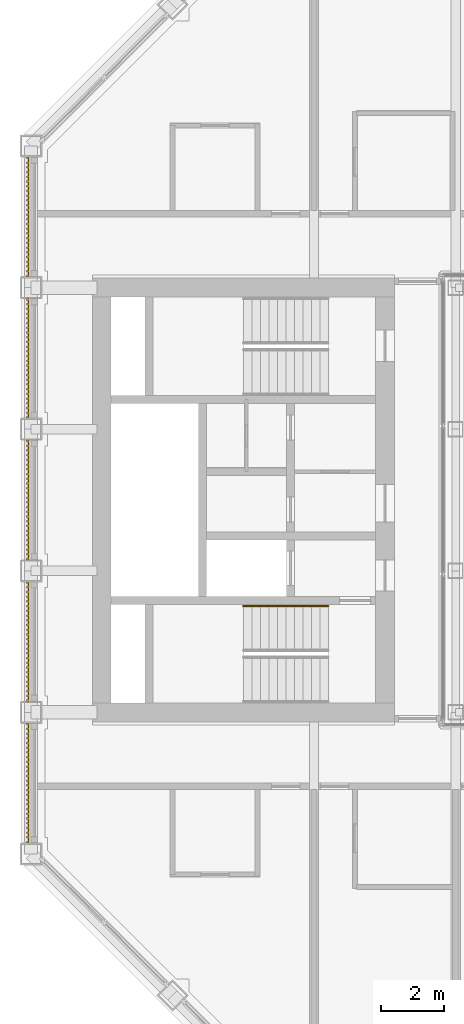
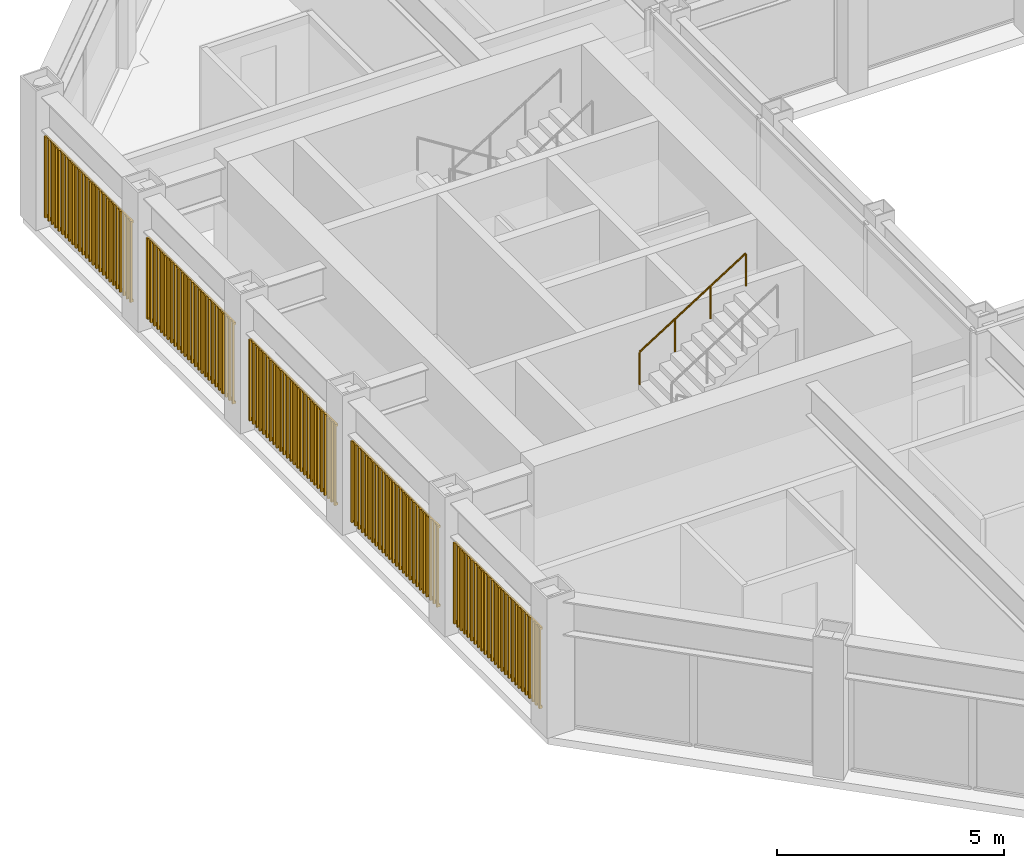
# One storey, part 14 of 16: 1 railing, 1 shading device.
"""IFC4 building model written with IfcOpenShell, lengths in metres."""

from ifc_helpers import new_model, si_unit, direction, frame, origin, origin_2d, place, context, subcontext, project, spatial, rectangle, circle, extrude, material, type_object, element, save


model = new_model("IFC4")

# Units and contexts
model_context = context("Model", 3, precision=1e-05, world=origin(), true_north=direction((0.0, 1.0)))
body_context = subcontext(model_context, "Body", "Model", "MODEL_VIEW")
ifc_project = project(units=[si_unit("LENGTHUNIT", "METRE"), si_unit("AREAUNIT", "SQUARE_METRE"), si_unit("VOLUMEUNIT", "CUBIC_METRE"), si_unit("PLANEANGLEUNIT", "RADIAN"), si_unit("MASSUNIT", "GRAM", prefix="KILO")], contexts=[model_context])

# Site, building, storey
site_placement = place(None, origin())
site = spatial("IfcSite", under=ifc_project, at=site_placement, CompositionType="ELEMENT")
building_placement = place(site_placement, origin())
building = spatial("IfcBuilding", under=site, at=building_placement, Name="Msasa Ring Tower", CompositionType="ELEMENT")
storey_placement = place(building_placement, frame((0.0, 0.0, 219.550048828125)))
storey = spatial("IfcBuildingStorey", under=building, at=storey_placement, Name="L57", CompositionType="ELEMENT", Elevation=219.550048828125)

# Shading device
ifc_material_1 = material(Name="Extruded terracotta on aluminium carriers", Category="masonry")
shading_device_type = type_object("IfcShadingDeviceType", Name="BS1 TERRACOTTA BAGUETTE SCREEN 50x50 AT 150", PredefinedType="USERDEFINED", material=ifc_material_1)
shading_device_placement = place(storey_placement, origin())
element("IfcShadingDevice", 1, at=shading_device_placement, inside=storey, type_object=shading_device_type, Name="Terracotta baguette screen W L57", ObjectType="BAGUETTE", PredefinedType="USERDEFINED", context=body_context, shape_type="SweptSolid", body=[
    extrude(rectangle(XDim=0.06005859375, YDim=0.0400390625, at=origin_2d()), frame((-20.330078125, -10.89990234375, 0.329833984375), z_axis=(0.0, 1.0, 0.0), x_axis=(0.0, 0.0, 1.0)), (0.0, 0.0, 1.0), 3.800048828125),
    extrude(rectangle(XDim=0.06005859375, YDim=0.0400390625, at=origin_2d()), frame((-20.330078125, -10.89990234375, 2.448974609375), z_axis=(0.0, 1.0, 0.0), x_axis=(0.0, 0.0, 1.0)), (0.0, 0.0, 1.0), 3.800048828125),
    extrude(rectangle(XDim=0.050048828125, YDim=0.050048828125, at=origin_2d()), frame((-20.3701171875, -10.875, 0.300048828125), z_axis=(0.0, 0.0, 1.0), x_axis=(0.0, 1.0, 0.0)), (0.0, 0.0, 1.0), 2.178955078125),
    extrude(rectangle(XDim=0.050048828125, YDim=0.050048828125, at=origin_2d()), frame((-20.3701171875, -10.72509765625, 0.300048828125), z_axis=(0.0, 0.0, 1.0), x_axis=(0.0, 1.0, 0.0)), (0.0, 0.0, 1.0), 2.178955078125),
    extrude(rectangle(XDim=0.050048828125, YDim=0.050048828125, at=origin_2d()), frame((-20.3701171875, -10.574951171875, 0.300048828125), z_axis=(0.0, 0.0, 1.0), x_axis=(0.0, 1.0, 0.0)), (0.0, 0.0, 1.0), 2.178955078125),
    extrude(rectangle(XDim=0.050048828125, YDim=0.050048828125, at=origin_2d()), frame((-20.3701171875, -10.425048828125, 0.300048828125), z_axis=(0.0, 0.0, 1.0), x_axis=(0.0, 1.0, 0.0)), (0.0, 0.0, 1.0), 2.178955078125),
    extrude(rectangle(XDim=0.050048828125, YDim=0.050048828125, at=origin_2d()), frame((-20.3701171875, -10.27490234375, 0.300048828125), z_axis=(0.0, 0.0, 1.0), x_axis=(0.0, 1.0, 0.0)), (0.0, 0.0, 1.0), 2.178955078125),
    extrude(rectangle(XDim=0.050048828125, YDim=0.050048828125, at=origin_2d()), frame((-20.3701171875, -10.125, 0.300048828125), z_axis=(0.0, 0.0, 1.0), x_axis=(0.0, 1.0, 0.0)), (0.0, 0.0, 1.0), 2.178955078125),
    extrude(rectangle(XDim=0.050048828125, YDim=0.050048828125, at=origin_2d()), frame((-20.3701171875, -9.97509765625, 0.300048828125), z_axis=(0.0, 0.0, 1.0), x_axis=(0.0, 1.0, 0.0)), (0.0, 0.0, 1.0), 2.178955078125),
    extrude(rectangle(XDim=0.050048828125, YDim=0.050048828125, at=origin_2d()), frame((-20.3701171875, -9.824951171875, 0.300048828125), z_axis=(0.0, 0.0, 1.0), x_axis=(0.0, 1.0, 0.0)), (0.0, 0.0, 1.0), 2.178955078125),
    extrude(rectangle(XDim=0.050048828125, YDim=0.050048828125, at=origin_2d()), frame((-20.3701171875, -9.675048828125, 0.300048828125), z_axis=(0.0, 0.0, 1.0), x_axis=(0.0, 1.0, 0.0)), (0.0, 0.0, 1.0), 2.178955078125),
    extrude(rectangle(XDim=0.050048828125, YDim=0.050048828125, at=origin_2d()), frame((-20.3701171875, -9.52490234375, 0.300048828125), z_axis=(0.0, 0.0, 1.0), x_axis=(0.0, 1.0, 0.0)), (0.0, 0.0, 1.0), 2.178955078125),
    extrude(rectangle(XDim=0.050048828125, YDim=0.050048828125, at=origin_2d()), frame((-20.3701171875, -9.375, 0.300048828125), z_axis=(0.0, 0.0, 1.0), x_axis=(0.0, 1.0, 0.0)), (0.0, 0.0, 1.0), 2.178955078125),
    extrude(rectangle(XDim=0.050048828125, YDim=0.050048828125, at=origin_2d()), frame((-20.3701171875, -9.22509765625, 0.300048828125), z_axis=(0.0, 0.0, 1.0), x_axis=(0.0, 1.0, 0.0)), (0.0, 0.0, 1.0), 2.178955078125),
    extrude(rectangle(XDim=0.050048828125, YDim=0.050048828125, at=origin_2d()), frame((-20.3701171875, -9.074951171875, 0.300048828125), z_axis=(0.0, 0.0, 1.0), x_axis=(0.0, 1.0, 0.0)), (0.0, 0.0, 1.0), 2.178955078125),
    extrude(rectangle(XDim=0.050048828125, YDim=0.050048828125, at=origin_2d()), frame((-20.3701171875, -8.925048828125, 0.300048828125), z_axis=(0.0, 0.0, 1.0), x_axis=(0.0, 1.0, 0.0)), (0.0, 0.0, 1.0), 2.178955078125),
    extrude(rectangle(XDim=0.050048828125, YDim=0.050048828125, at=origin_2d()), frame((-20.3701171875, -8.77490234375, 0.300048828125), z_axis=(0.0, 0.0, 1.0), x_axis=(0.0, 1.0, 0.0)), (0.0, 0.0, 1.0), 2.178955078125),
    extrude(rectangle(XDim=0.050048828125, YDim=0.050048828125, at=origin_2d()), frame((-20.3701171875, -8.625, 0.300048828125), z_axis=(0.0, 0.0, 1.0), x_axis=(0.0, 1.0, 0.0)), (0.0, 0.0, 1.0), 2.178955078125),
    extrude(rectangle(XDim=0.050048828125, YDim=0.050048828125, at=origin_2d()), frame((-20.3701171875, -8.47509765625, 0.300048828125), z_axis=(0.0, 0.0, 1.0), x_axis=(0.0, 1.0, 0.0)), (0.0, 0.0, 1.0), 2.178955078125),
    extrude(rectangle(XDim=0.050048828125, YDim=0.050048828125, at=origin_2d()), frame((-20.3701171875, -8.324951171875, 0.300048828125), z_axis=(0.0, 0.0, 1.0), x_axis=(0.0, 1.0, 0.0)), (0.0, 0.0, 1.0), 2.178955078125),
    extrude(rectangle(XDim=0.050048828125, YDim=0.050048828125, at=origin_2d()), frame((-20.3701171875, -8.175048828125, 0.300048828125), z_axis=(0.0, 0.0, 1.0), x_axis=(0.0, 1.0, 0.0)), (0.0, 0.0, 1.0), 2.178955078125),
    extrude(rectangle(XDim=0.050048828125, YDim=0.050048828125, at=origin_2d()), frame((-20.3701171875, -8.02490234375, 0.300048828125), z_axis=(0.0, 0.0, 1.0), x_axis=(0.0, 1.0, 0.0)), (0.0, 0.0, 1.0), 2.178955078125),
    extrude(rectangle(XDim=0.050048828125, YDim=0.050048828125, at=origin_2d()), frame((-20.3701171875, -7.875, 0.300048828125), z_axis=(0.0, 0.0, 1.0), x_axis=(0.0, 1.0, 0.0)), (0.0, 0.0, 1.0), 2.178955078125),
    extrude(rectangle(XDim=0.050048828125, YDim=0.050048828125, at=origin_2d()), frame((-20.3701171875, -7.72509765625, 0.300048828125), z_axis=(0.0, 0.0, 1.0), x_axis=(0.0, 1.0, 0.0)), (0.0, 0.0, 1.0), 2.178955078125),
    extrude(rectangle(XDim=0.050048828125, YDim=0.050048828125, at=origin_2d()), frame((-20.3701171875, -7.574951171875, 0.300048828125), z_axis=(0.0, 0.0, 1.0), x_axis=(0.0, 1.0, 0.0)), (0.0, 0.0, 1.0), 2.178955078125),
    extrude(rectangle(XDim=0.050048828125, YDim=0.050048828125, at=origin_2d()), frame((-20.3701171875, -7.425048828125, 0.300048828125), z_axis=(0.0, 0.0, 1.0), x_axis=(0.0, 1.0, 0.0)), (0.0, 0.0, 1.0), 2.178955078125),
    extrude(rectangle(XDim=0.050048828125, YDim=0.050048828125, at=origin_2d()), frame((-20.3701171875, -7.27490234375, 0.300048828125), z_axis=(0.0, 0.0, 1.0), x_axis=(0.0, 1.0, 0.0)), (0.0, 0.0, 1.0), 2.178955078125),
    extrude(rectangle(XDim=0.050048828125, YDim=0.050048828125, at=origin_2d()), frame((-20.3701171875, -7.125, 0.300048828125), z_axis=(0.0, 0.0, 1.0), x_axis=(0.0, 1.0, 0.0)), (0.0, 0.0, 1.0), 2.178955078125),
    extrude(rectangle(XDim=0.06005859375, YDim=0.0400390625, at=origin_2d()), frame((-20.330078125, -6.39990234375, 0.329833984375), z_axis=(0.0, 1.0, 0.0), x_axis=(0.0, 0.0, 1.0)), (0.0, 0.0, 1.0), 3.800048828125),
    extrude(rectangle(XDim=0.06005859375, YDim=0.0400390625, at=origin_2d()), frame((-20.330078125, -6.39990234375, 2.448974609375), z_axis=(0.0, 1.0, 0.0), x_axis=(0.0, 0.0, 1.0)), (0.0, 0.0, 1.0), 3.800048828125),
    extrude(rectangle(XDim=0.050048828125, YDim=0.050048828125, at=origin_2d()), frame((-20.3701171875, -6.375, 0.300048828125), z_axis=(0.0, 0.0, 1.0), x_axis=(0.0, 1.0, 0.0)), (0.0, 0.0, 1.0), 2.178955078125),
    extrude(rectangle(XDim=0.050048828125, YDim=0.050048828125, at=origin_2d()), frame((-20.3701171875, -6.22509765625, 0.300048828125), z_axis=(0.0, 0.0, 1.0), x_axis=(0.0, 1.0, 0.0)), (0.0, 0.0, 1.0), 2.178955078125),
    extrude(rectangle(XDim=0.050048828125, YDim=0.050048828125, at=origin_2d()), frame((-20.3701171875, -6.074951171875, 0.300048828125), z_axis=(0.0, 0.0, 1.0), x_axis=(0.0, 1.0, 0.0)), (0.0, 0.0, 1.0), 2.178955078125),
    extrude(rectangle(XDim=0.050048828125, YDim=0.050048828125, at=origin_2d()), frame((-20.3701171875, -5.925048828125, 0.300048828125), z_axis=(0.0, 0.0, 1.0), x_axis=(0.0, 1.0, 0.0)), (0.0, 0.0, 1.0), 2.178955078125),
    extrude(rectangle(XDim=0.050048828125, YDim=0.050048828125, at=origin_2d()), frame((-20.3701171875, -5.77490234375, 0.300048828125), z_axis=(0.0, 0.0, 1.0), x_axis=(0.0, 1.0, 0.0)), (0.0, 0.0, 1.0), 2.178955078125),
    extrude(rectangle(XDim=0.050048828125, YDim=0.050048828125, at=origin_2d()), frame((-20.3701171875, -5.625, 0.300048828125), z_axis=(0.0, 0.0, 1.0), x_axis=(0.0, 1.0, 0.0)), (0.0, 0.0, 1.0), 2.178955078125),
    extrude(rectangle(XDim=0.050048828125, YDim=0.050048828125, at=origin_2d()), frame((-20.3701171875, -5.47509765625, 0.300048828125), z_axis=(0.0, 0.0, 1.0), x_axis=(0.0, 1.0, 0.0)), (0.0, 0.0, 1.0), 2.178955078125),
    extrude(rectangle(XDim=0.050048828125, YDim=0.050048828125, at=origin_2d()), frame((-20.3701171875, -5.324951171875, 0.300048828125), z_axis=(0.0, 0.0, 1.0), x_axis=(0.0, 1.0, 0.0)), (0.0, 0.0, 1.0), 2.178955078125),
    extrude(rectangle(XDim=0.050048828125, YDim=0.050048828125, at=origin_2d()), frame((-20.3701171875, -5.175048828125, 0.300048828125), z_axis=(0.0, 0.0, 1.0), x_axis=(0.0, 1.0, 0.0)), (0.0, 0.0, 1.0), 2.178955078125),
    extrude(rectangle(XDim=0.050048828125, YDim=0.050048828125, at=origin_2d()), frame((-20.3701171875, -5.02490234375, 0.300048828125), z_axis=(0.0, 0.0, 1.0), x_axis=(0.0, 1.0, 0.0)), (0.0, 0.0, 1.0), 2.178955078125),
    extrude(rectangle(XDim=0.050048828125, YDim=0.050048828125, at=origin_2d()), frame((-20.3701171875, -4.875, 0.300048828125), z_axis=(0.0, 0.0, 1.0), x_axis=(0.0, 1.0, 0.0)), (0.0, 0.0, 1.0), 2.178955078125),
    extrude(rectangle(XDim=0.050048828125, YDim=0.050048828125, at=origin_2d()), frame((-20.3701171875, -4.72509765625, 0.300048828125), z_axis=(0.0, 0.0, 1.0), x_axis=(0.0, 1.0, 0.0)), (0.0, 0.0, 1.0), 2.178955078125),
    extrude(rectangle(XDim=0.050048828125, YDim=0.050048828125, at=origin_2d()), frame((-20.3701171875, -4.574951171875, 0.300048828125), z_axis=(0.0, 0.0, 1.0), x_axis=(0.0, 1.0, 0.0)), (0.0, 0.0, 1.0), 2.178955078125),
    extrude(rectangle(XDim=0.050048828125, YDim=0.050048828125, at=origin_2d()), frame((-20.3701171875, -4.425048828125, 0.300048828125), z_axis=(0.0, 0.0, 1.0), x_axis=(0.0, 1.0, 0.0)), (0.0, 0.0, 1.0), 2.178955078125),
    extrude(rectangle(XDim=0.050048828125, YDim=0.050048828125, at=origin_2d()), frame((-20.3701171875, -4.27490234375, 0.300048828125), z_axis=(0.0, 0.0, 1.0), x_axis=(0.0, 1.0, 0.0)), (0.0, 0.0, 1.0), 2.178955078125),
    extrude(rectangle(XDim=0.050048828125, YDim=0.050048828125, at=origin_2d()), frame((-20.3701171875, -4.125, 0.300048828125), z_axis=(0.0, 0.0, 1.0), x_axis=(0.0, 1.0, 0.0)), (0.0, 0.0, 1.0), 2.178955078125),
    extrude(rectangle(XDim=0.050048828125, YDim=0.050048828125, at=origin_2d()), frame((-20.3701171875, -3.97509765625, 0.300048828125), z_axis=(0.0, 0.0, 1.0), x_axis=(0.0, 1.0, 0.0)), (0.0, 0.0, 1.0), 2.178955078125),
    extrude(rectangle(XDim=0.050048828125, YDim=0.050048828125, at=origin_2d()), frame((-20.3701171875, -3.824951171875, 0.300048828125), z_axis=(0.0, 0.0, 1.0), x_axis=(0.0, 1.0, 0.0)), (0.0, 0.0, 1.0), 2.178955078125),
    extrude(rectangle(XDim=0.050048828125, YDim=0.050048828125, at=origin_2d()), frame((-20.3701171875, -3.675048828125, 0.300048828125), z_axis=(0.0, 0.0, 1.0), x_axis=(0.0, 1.0, 0.0)), (0.0, 0.0, 1.0), 2.178955078125),
    extrude(rectangle(XDim=0.050048828125, YDim=0.050048828125, at=origin_2d()), frame((-20.3701171875, -3.52490234375, 0.300048828125), z_axis=(0.0, 0.0, 1.0), x_axis=(0.0, 1.0, 0.0)), (0.0, 0.0, 1.0), 2.178955078125),
    extrude(rectangle(XDim=0.050048828125, YDim=0.050048828125, at=origin_2d()), frame((-20.3701171875, -3.375, 0.300048828125), z_axis=(0.0, 0.0, 1.0), x_axis=(0.0, 1.0, 0.0)), (0.0, 0.0, 1.0), 2.178955078125),
    extrude(rectangle(XDim=0.050048828125, YDim=0.050048828125, at=origin_2d()), frame((-20.3701171875, -3.22509765625, 0.300048828125), z_axis=(0.0, 0.0, 1.0), x_axis=(0.0, 1.0, 0.0)), (0.0, 0.0, 1.0), 2.178955078125),
    extrude(rectangle(XDim=0.050048828125, YDim=0.050048828125, at=origin_2d()), frame((-20.3701171875, -3.074951171875, 0.300048828125), z_axis=(0.0, 0.0, 1.0), x_axis=(0.0, 1.0, 0.0)), (0.0, 0.0, 1.0), 2.178955078125),
    extrude(rectangle(XDim=0.050048828125, YDim=0.050048828125, at=origin_2d()), frame((-20.3701171875, -2.925048828125, 0.300048828125), z_axis=(0.0, 0.0, 1.0), x_axis=(0.0, 1.0, 0.0)), (0.0, 0.0, 1.0), 2.178955078125),
    extrude(rectangle(XDim=0.050048828125, YDim=0.050048828125, at=origin_2d()), frame((-20.3701171875, -2.77490234375, 0.300048828125), z_axis=(0.0, 0.0, 1.0), x_axis=(0.0, 1.0, 0.0)), (0.0, 0.0, 1.0), 2.178955078125),
    extrude(rectangle(XDim=0.050048828125, YDim=0.050048828125, at=origin_2d()), frame((-20.3701171875, -2.625, 0.300048828125), z_axis=(0.0, 0.0, 1.0), x_axis=(0.0, 1.0, 0.0)), (0.0, 0.0, 1.0), 2.178955078125),
    extrude(rectangle(XDim=0.06005859375, YDim=0.0400390625, at=origin_2d()), frame((-20.330078125, -1.89990234375, 0.329833984375), z_axis=(0.0, 1.0, 0.0), x_axis=(0.0, 0.0, 1.0)), (0.0, 0.0, 1.0), 3.800048828125),
    extrude(rectangle(XDim=0.06005859375, YDim=0.0400390625, at=origin_2d()), frame((-20.330078125, -1.89990234375, 2.448974609375), z_axis=(0.0, 1.0, 0.0), x_axis=(0.0, 0.0, 1.0)), (0.0, 0.0, 1.0), 3.800048828125),
    extrude(rectangle(XDim=0.050048828125, YDim=0.050048828125, at=origin_2d()), frame((-20.3701171875, -1.875, 0.300048828125), z_axis=(0.0, 0.0, 1.0), x_axis=(0.0, 1.0, 0.0)), (0.0, 0.0, 1.0), 2.178955078125),
    extrude(rectangle(XDim=0.050048828125, YDim=0.050048828125, at=origin_2d()), frame((-20.3701171875, -1.72509765625, 0.300048828125), z_axis=(0.0, 0.0, 1.0), x_axis=(0.0, 1.0, 0.0)), (0.0, 0.0, 1.0), 2.178955078125),
    extrude(rectangle(XDim=0.050048828125, YDim=0.050048828125, at=origin_2d()), frame((-20.3701171875, -1.574951171875, 0.300048828125), z_axis=(0.0, 0.0, 1.0), x_axis=(0.0, 1.0, 0.0)), (0.0, 0.0, 1.0), 2.178955078125),
    extrude(rectangle(XDim=0.050048828125, YDim=0.050048828125, at=origin_2d()), frame((-20.3701171875, -1.425048828125, 0.300048828125), z_axis=(0.0, 0.0, 1.0), x_axis=(0.0, 1.0, 0.0)), (0.0, 0.0, 1.0), 2.178955078125),
    extrude(rectangle(XDim=0.050048828125, YDim=0.050048828125, at=origin_2d()), frame((-20.3701171875, -1.27490234375, 0.300048828125), z_axis=(0.0, 0.0, 1.0), x_axis=(0.0, 1.0, 0.0)), (0.0, 0.0, 1.0), 2.178955078125),
    extrude(rectangle(XDim=0.050048828125, YDim=0.050048828125, at=origin_2d()), frame((-20.3701171875, -1.125, 0.300048828125), z_axis=(0.0, 0.0, 1.0), x_axis=(0.0, 1.0, 0.0)), (0.0, 0.0, 1.0), 2.178955078125),
    extrude(rectangle(XDim=0.050048828125, YDim=0.050048828125, at=origin_2d()), frame((-20.3701171875, -0.97509765625, 0.300048828125), z_axis=(0.0, 0.0, 1.0), x_axis=(0.0, 1.0, 0.0)), (0.0, 0.0, 1.0), 2.178955078125),
    extrude(rectangle(XDim=0.050048828125, YDim=0.050048828125, at=origin_2d()), frame((-20.3701171875, -0.824951171875, 0.300048828125), z_axis=(0.0, 0.0, 1.0), x_axis=(0.0, 1.0, 0.0)), (0.0, 0.0, 1.0), 2.178955078125),
    extrude(rectangle(XDim=0.050048828125, YDim=0.050048828125, at=origin_2d()), frame((-20.3701171875, -0.675048828125, 0.300048828125), z_axis=(0.0, 0.0, 1.0), x_axis=(0.0, 1.0, 0.0)), (0.0, 0.0, 1.0), 2.178955078125),
    extrude(rectangle(XDim=0.050048828125, YDim=0.050048828125, at=origin_2d()), frame((-20.3701171875, -0.52490234375, 0.300048828125), z_axis=(0.0, 0.0, 1.0), x_axis=(0.0, 1.0, 0.0)), (0.0, 0.0, 1.0), 2.178955078125),
    extrude(rectangle(XDim=0.050048828125, YDim=0.050048828125, at=origin_2d()), frame((-20.3701171875, -0.375, 0.300048828125), z_axis=(0.0, 0.0, 1.0), x_axis=(0.0, 1.0, 0.0)), (0.0, 0.0, 1.0), 2.178955078125),
    extrude(rectangle(XDim=0.050048828125, YDim=0.050048828125, at=origin_2d()), frame((-20.3701171875, -0.22509765625, 0.300048828125), z_axis=(0.0, 0.0, 1.0), x_axis=(0.0, 1.0, 0.0)), (0.0, 0.0, 1.0), 2.178955078125),
    extrude(rectangle(XDim=0.050048828125, YDim=0.050048828125, at=origin_2d()), frame((-20.3701171875, -0.074951171875, 0.300048828125), z_axis=(0.0, 0.0, 1.0), x_axis=(0.0, 1.0, 0.0)), (0.0, 0.0, 1.0), 2.178955078125),
    extrude(rectangle(XDim=0.050048828125, YDim=0.050048828125, at=origin_2d()), frame((-20.3701171875, 0.074951171875, 0.300048828125), z_axis=(0.0, 0.0, 1.0), x_axis=(0.0, 1.0, 0.0)), (0.0, 0.0, 1.0), 2.178955078125),
    extrude(rectangle(XDim=0.050048828125, YDim=0.050048828125, at=origin_2d()), frame((-20.3701171875, 0.22509765625, 0.300048828125), z_axis=(0.0, 0.0, 1.0), x_axis=(0.0, 1.0, 0.0)), (0.0, 0.0, 1.0), 2.178955078125),
    extrude(rectangle(XDim=0.050048828125, YDim=0.050048828125, at=origin_2d()), frame((-20.3701171875, 0.375, 0.300048828125), z_axis=(0.0, 0.0, 1.0), x_axis=(0.0, 1.0, 0.0)), (0.0, 0.0, 1.0), 2.178955078125),
    extrude(rectangle(XDim=0.050048828125, YDim=0.050048828125, at=origin_2d()), frame((-20.3701171875, 0.52490234375, 0.300048828125), z_axis=(0.0, 0.0, 1.0), x_axis=(0.0, 1.0, 0.0)), (0.0, 0.0, 1.0), 2.178955078125),
    extrude(rectangle(XDim=0.050048828125, YDim=0.050048828125, at=origin_2d()), frame((-20.3701171875, 0.675048828125, 0.300048828125), z_axis=(0.0, 0.0, 1.0), x_axis=(0.0, 1.0, 0.0)), (0.0, 0.0, 1.0), 2.178955078125),
    extrude(rectangle(XDim=0.050048828125, YDim=0.050048828125, at=origin_2d()), frame((-20.3701171875, 0.824951171875, 0.300048828125), z_axis=(0.0, 0.0, 1.0), x_axis=(0.0, 1.0, 0.0)), (0.0, 0.0, 1.0), 2.178955078125),
    extrude(rectangle(XDim=0.050048828125, YDim=0.050048828125, at=origin_2d()), frame((-20.3701171875, 0.97509765625, 0.300048828125), z_axis=(0.0, 0.0, 1.0), x_axis=(0.0, 1.0, 0.0)), (0.0, 0.0, 1.0), 2.178955078125),
    extrude(rectangle(XDim=0.050048828125, YDim=0.050048828125, at=origin_2d()), frame((-20.3701171875, 1.125, 0.300048828125), z_axis=(0.0, 0.0, 1.0), x_axis=(0.0, 1.0, 0.0)), (0.0, 0.0, 1.0), 2.178955078125),
    extrude(rectangle(XDim=0.050048828125, YDim=0.050048828125, at=origin_2d()), frame((-20.3701171875, 1.27490234375, 0.300048828125), z_axis=(0.0, 0.0, 1.0), x_axis=(0.0, 1.0, 0.0)), (0.0, 0.0, 1.0), 2.178955078125),
    extrude(rectangle(XDim=0.050048828125, YDim=0.050048828125, at=origin_2d()), frame((-20.3701171875, 1.425048828125, 0.300048828125), z_axis=(0.0, 0.0, 1.0), x_axis=(0.0, 1.0, 0.0)), (0.0, 0.0, 1.0), 2.178955078125),
    extrude(rectangle(XDim=0.050048828125, YDim=0.050048828125, at=origin_2d()), frame((-20.3701171875, 1.574951171875, 0.300048828125), z_axis=(0.0, 0.0, 1.0), x_axis=(0.0, 1.0, 0.0)), (0.0, 0.0, 1.0), 2.178955078125),
    extrude(rectangle(XDim=0.050048828125, YDim=0.050048828125, at=origin_2d()), frame((-20.3701171875, 1.72509765625, 0.300048828125), z_axis=(0.0, 0.0, 1.0), x_axis=(0.0, 1.0, 0.0)), (0.0, 0.0, 1.0), 2.178955078125),
    extrude(rectangle(XDim=0.050048828125, YDim=0.050048828125, at=origin_2d()), frame((-20.3701171875, 1.875, 0.300048828125), z_axis=(0.0, 0.0, 1.0), x_axis=(0.0, 1.0, 0.0)), (0.0, 0.0, 1.0), 2.178955078125),
    extrude(rectangle(XDim=0.06005859375, YDim=0.0400390625, at=origin_2d()), frame((-20.330078125, 2.60009765625, 0.329833984375), z_axis=(0.0, 1.0, 0.0), x_axis=(0.0, 0.0, 1.0)), (0.0, 0.0, 1.0), 3.800048828125),
    extrude(rectangle(XDim=0.06005859375, YDim=0.0400390625, at=origin_2d()), frame((-20.330078125, 2.60009765625, 2.448974609375), z_axis=(0.0, 1.0, 0.0), x_axis=(0.0, 0.0, 1.0)), (0.0, 0.0, 1.0), 3.800048828125),
    extrude(rectangle(XDim=0.050048828125, YDim=0.050048828125, at=origin_2d()), frame((-20.3701171875, 2.625, 0.300048828125), z_axis=(0.0, 0.0, 1.0), x_axis=(0.0, 1.0, 0.0)), (0.0, 0.0, 1.0), 2.178955078125),
    extrude(rectangle(XDim=0.050048828125, YDim=0.050048828125, at=origin_2d()), frame((-20.3701171875, 2.77490234375, 0.300048828125), z_axis=(0.0, 0.0, 1.0), x_axis=(0.0, 1.0, 0.0)), (0.0, 0.0, 1.0), 2.178955078125),
    extrude(rectangle(XDim=0.050048828125, YDim=0.050048828125, at=origin_2d()), frame((-20.3701171875, 2.925048828125, 0.300048828125), z_axis=(0.0, 0.0, 1.0), x_axis=(0.0, 1.0, 0.0)), (0.0, 0.0, 1.0), 2.178955078125),
    extrude(rectangle(XDim=0.050048828125, YDim=0.050048828125, at=origin_2d()), frame((-20.3701171875, 3.074951171875, 0.300048828125), z_axis=(0.0, 0.0, 1.0), x_axis=(0.0, 1.0, 0.0)), (0.0, 0.0, 1.0), 2.178955078125),
    extrude(rectangle(XDim=0.050048828125, YDim=0.050048828125, at=origin_2d()), frame((-20.3701171875, 3.22509765625, 0.300048828125), z_axis=(0.0, 0.0, 1.0), x_axis=(0.0, 1.0, 0.0)), (0.0, 0.0, 1.0), 2.178955078125),
    extrude(rectangle(XDim=0.050048828125, YDim=0.050048828125, at=origin_2d()), frame((-20.3701171875, 3.375, 0.300048828125), z_axis=(0.0, 0.0, 1.0), x_axis=(0.0, 1.0, 0.0)), (0.0, 0.0, 1.0), 2.178955078125),
    extrude(rectangle(XDim=0.050048828125, YDim=0.050048828125, at=origin_2d()), frame((-20.3701171875, 3.52490234375, 0.300048828125), z_axis=(0.0, 0.0, 1.0), x_axis=(0.0, 1.0, 0.0)), (0.0, 0.0, 1.0), 2.178955078125),
    extrude(rectangle(XDim=0.050048828125, YDim=0.050048828125, at=origin_2d()), frame((-20.3701171875, 3.675048828125, 0.300048828125), z_axis=(0.0, 0.0, 1.0), x_axis=(0.0, 1.0, 0.0)), (0.0, 0.0, 1.0), 2.178955078125),
    extrude(rectangle(XDim=0.050048828125, YDim=0.050048828125, at=origin_2d()), frame((-20.3701171875, 3.824951171875, 0.300048828125), z_axis=(0.0, 0.0, 1.0), x_axis=(0.0, 1.0, 0.0)), (0.0, 0.0, 1.0), 2.178955078125),
    extrude(rectangle(XDim=0.050048828125, YDim=0.050048828125, at=origin_2d()), frame((-20.3701171875, 3.97509765625, 0.300048828125), z_axis=(0.0, 0.0, 1.0), x_axis=(0.0, 1.0, 0.0)), (0.0, 0.0, 1.0), 2.178955078125),
    extrude(rectangle(XDim=0.050048828125, YDim=0.050048828125, at=origin_2d()), frame((-20.3701171875, 4.125, 0.300048828125), z_axis=(0.0, 0.0, 1.0), x_axis=(0.0, 1.0, 0.0)), (0.0, 0.0, 1.0), 2.178955078125),
    extrude(rectangle(XDim=0.050048828125, YDim=0.050048828125, at=origin_2d()), frame((-20.3701171875, 4.27490234375, 0.300048828125), z_axis=(0.0, 0.0, 1.0), x_axis=(0.0, 1.0, 0.0)), (0.0, 0.0, 1.0), 2.178955078125),
    extrude(rectangle(XDim=0.050048828125, YDim=0.050048828125, at=origin_2d()), frame((-20.3701171875, 4.425048828125, 0.300048828125), z_axis=(0.0, 0.0, 1.0), x_axis=(0.0, 1.0, 0.0)), (0.0, 0.0, 1.0), 2.178955078125),
    extrude(rectangle(XDim=0.050048828125, YDim=0.050048828125, at=origin_2d()), frame((-20.3701171875, 4.574951171875, 0.300048828125), z_axis=(0.0, 0.0, 1.0), x_axis=(0.0, 1.0, 0.0)), (0.0, 0.0, 1.0), 2.178955078125),
    extrude(rectangle(XDim=0.050048828125, YDim=0.050048828125, at=origin_2d()), frame((-20.3701171875, 4.72509765625, 0.300048828125), z_axis=(0.0, 0.0, 1.0), x_axis=(0.0, 1.0, 0.0)), (0.0, 0.0, 1.0), 2.178955078125),
    extrude(rectangle(XDim=0.050048828125, YDim=0.050048828125, at=origin_2d()), frame((-20.3701171875, 4.875, 0.300048828125), z_axis=(0.0, 0.0, 1.0), x_axis=(0.0, 1.0, 0.0)), (0.0, 0.0, 1.0), 2.178955078125),
    extrude(rectangle(XDim=0.050048828125, YDim=0.050048828125, at=origin_2d()), frame((-20.3701171875, 5.02490234375, 0.300048828125), z_axis=(0.0, 0.0, 1.0), x_axis=(0.0, 1.0, 0.0)), (0.0, 0.0, 1.0), 2.178955078125),
    extrude(rectangle(XDim=0.050048828125, YDim=0.050048828125, at=origin_2d()), frame((-20.3701171875, 5.175048828125, 0.300048828125), z_axis=(0.0, 0.0, 1.0), x_axis=(0.0, 1.0, 0.0)), (0.0, 0.0, 1.0), 2.178955078125),
    extrude(rectangle(XDim=0.050048828125, YDim=0.050048828125, at=origin_2d()), frame((-20.3701171875, 5.324951171875, 0.300048828125), z_axis=(0.0, 0.0, 1.0), x_axis=(0.0, 1.0, 0.0)), (0.0, 0.0, 1.0), 2.178955078125),
    extrude(rectangle(XDim=0.050048828125, YDim=0.050048828125, at=origin_2d()), frame((-20.3701171875, 5.47509765625, 0.300048828125), z_axis=(0.0, 0.0, 1.0), x_axis=(0.0, 1.0, 0.0)), (0.0, 0.0, 1.0), 2.178955078125),
    extrude(rectangle(XDim=0.050048828125, YDim=0.050048828125, at=origin_2d()), frame((-20.3701171875, 5.625, 0.300048828125), z_axis=(0.0, 0.0, 1.0), x_axis=(0.0, 1.0, 0.0)), (0.0, 0.0, 1.0), 2.178955078125),
    extrude(rectangle(XDim=0.050048828125, YDim=0.050048828125, at=origin_2d()), frame((-20.3701171875, 5.77490234375, 0.300048828125), z_axis=(0.0, 0.0, 1.0), x_axis=(0.0, 1.0, 0.0)), (0.0, 0.0, 1.0), 2.178955078125),
    extrude(rectangle(XDim=0.050048828125, YDim=0.050048828125, at=origin_2d()), frame((-20.3701171875, 5.925048828125, 0.300048828125), z_axis=(0.0, 0.0, 1.0), x_axis=(0.0, 1.0, 0.0)), (0.0, 0.0, 1.0), 2.178955078125),
    extrude(rectangle(XDim=0.050048828125, YDim=0.050048828125, at=origin_2d()), frame((-20.3701171875, 6.074951171875, 0.300048828125), z_axis=(0.0, 0.0, 1.0), x_axis=(0.0, 1.0, 0.0)), (0.0, 0.0, 1.0), 2.178955078125),
    extrude(rectangle(XDim=0.050048828125, YDim=0.050048828125, at=origin_2d()), frame((-20.3701171875, 6.22509765625, 0.300048828125), z_axis=(0.0, 0.0, 1.0), x_axis=(0.0, 1.0, 0.0)), (0.0, 0.0, 1.0), 2.178955078125),
    extrude(rectangle(XDim=0.050048828125, YDim=0.050048828125, at=origin_2d()), frame((-20.3701171875, 6.375, 0.300048828125), z_axis=(0.0, 0.0, 1.0), x_axis=(0.0, 1.0, 0.0)), (0.0, 0.0, 1.0), 2.178955078125),
    extrude(rectangle(XDim=0.06005859375, YDim=0.0400390625, at=origin_2d()), frame((-20.330078125, 7.10009765625, 0.329833984375), z_axis=(0.0, 1.0, 0.0), x_axis=(0.0, 0.0, 1.0)), (0.0, 0.0, 1.0), 3.800048828125),
    extrude(rectangle(XDim=0.06005859375, YDim=0.0400390625, at=origin_2d()), frame((-20.330078125, 7.10009765625, 2.448974609375), z_axis=(0.0, 1.0, 0.0), x_axis=(0.0, 0.0, 1.0)), (0.0, 0.0, 1.0), 3.800048828125),
    extrude(rectangle(XDim=0.050048828125, YDim=0.050048828125, at=origin_2d()), frame((-20.3701171875, 7.125, 0.300048828125), z_axis=(0.0, 0.0, 1.0), x_axis=(0.0, 1.0, 0.0)), (0.0, 0.0, 1.0), 2.178955078125),
    extrude(rectangle(XDim=0.050048828125, YDim=0.050048828125, at=origin_2d()), frame((-20.3701171875, 7.27490234375, 0.300048828125), z_axis=(0.0, 0.0, 1.0), x_axis=(0.0, 1.0, 0.0)), (0.0, 0.0, 1.0), 2.178955078125),
    extrude(rectangle(XDim=0.050048828125, YDim=0.050048828125, at=origin_2d()), frame((-20.3701171875, 7.425048828125, 0.300048828125), z_axis=(0.0, 0.0, 1.0), x_axis=(0.0, 1.0, 0.0)), (0.0, 0.0, 1.0), 2.178955078125),
    extrude(rectangle(XDim=0.050048828125, YDim=0.050048828125, at=origin_2d()), frame((-20.3701171875, 7.574951171875, 0.300048828125), z_axis=(0.0, 0.0, 1.0), x_axis=(0.0, 1.0, 0.0)), (0.0, 0.0, 1.0), 2.178955078125),
    extrude(rectangle(XDim=0.050048828125, YDim=0.050048828125, at=origin_2d()), frame((-20.3701171875, 7.72509765625, 0.300048828125), z_axis=(0.0, 0.0, 1.0), x_axis=(0.0, 1.0, 0.0)), (0.0, 0.0, 1.0), 2.178955078125),
    extrude(rectangle(XDim=0.050048828125, YDim=0.050048828125, at=origin_2d()), frame((-20.3701171875, 7.875, 0.300048828125), z_axis=(0.0, 0.0, 1.0), x_axis=(0.0, 1.0, 0.0)), (0.0, 0.0, 1.0), 2.178955078125),
    extrude(rectangle(XDim=0.050048828125, YDim=0.050048828125, at=origin_2d()), frame((-20.3701171875, 8.02490234375, 0.300048828125), z_axis=(0.0, 0.0, 1.0), x_axis=(0.0, 1.0, 0.0)), (0.0, 0.0, 1.0), 2.178955078125),
    extrude(rectangle(XDim=0.050048828125, YDim=0.050048828125, at=origin_2d()), frame((-20.3701171875, 8.175048828125, 0.300048828125), z_axis=(0.0, 0.0, 1.0), x_axis=(0.0, 1.0, 0.0)), (0.0, 0.0, 1.0), 2.178955078125),
    extrude(rectangle(XDim=0.050048828125, YDim=0.050048828125, at=origin_2d()), frame((-20.3701171875, 8.324951171875, 0.300048828125), z_axis=(0.0, 0.0, 1.0), x_axis=(0.0, 1.0, 0.0)), (0.0, 0.0, 1.0), 2.178955078125),
    extrude(rectangle(XDim=0.050048828125, YDim=0.050048828125, at=origin_2d()), frame((-20.3701171875, 8.47509765625, 0.300048828125), z_axis=(0.0, 0.0, 1.0), x_axis=(0.0, 1.0, 0.0)), (0.0, 0.0, 1.0), 2.178955078125),
    extrude(rectangle(XDim=0.050048828125, YDim=0.050048828125, at=origin_2d()), frame((-20.3701171875, 8.625, 0.300048828125), z_axis=(0.0, 0.0, 1.0), x_axis=(0.0, 1.0, 0.0)), (0.0, 0.0, 1.0), 2.178955078125),
    extrude(rectangle(XDim=0.050048828125, YDim=0.050048828125, at=origin_2d()), frame((-20.3701171875, 8.77490234375, 0.300048828125), z_axis=(0.0, 0.0, 1.0), x_axis=(0.0, 1.0, 0.0)), (0.0, 0.0, 1.0), 2.178955078125),
    extrude(rectangle(XDim=0.050048828125, YDim=0.050048828125, at=origin_2d()), frame((-20.3701171875, 8.925048828125, 0.300048828125), z_axis=(0.0, 0.0, 1.0), x_axis=(0.0, 1.0, 0.0)), (0.0, 0.0, 1.0), 2.178955078125),
    extrude(rectangle(XDim=0.050048828125, YDim=0.050048828125, at=origin_2d()), frame((-20.3701171875, 9.074951171875, 0.300048828125), z_axis=(0.0, 0.0, 1.0), x_axis=(0.0, 1.0, 0.0)), (0.0, 0.0, 1.0), 2.178955078125),
    extrude(rectangle(XDim=0.050048828125, YDim=0.050048828125, at=origin_2d()), frame((-20.3701171875, 9.22509765625, 0.300048828125), z_axis=(0.0, 0.0, 1.0), x_axis=(0.0, 1.0, 0.0)), (0.0, 0.0, 1.0), 2.178955078125),
    extrude(rectangle(XDim=0.050048828125, YDim=0.050048828125, at=origin_2d()), frame((-20.3701171875, 9.375, 0.300048828125), z_axis=(0.0, 0.0, 1.0), x_axis=(0.0, 1.0, 0.0)), (0.0, 0.0, 1.0), 2.178955078125),
    extrude(rectangle(XDim=0.050048828125, YDim=0.050048828125, at=origin_2d()), frame((-20.3701171875, 9.52490234375, 0.300048828125), z_axis=(0.0, 0.0, 1.0), x_axis=(0.0, 1.0, 0.0)), (0.0, 0.0, 1.0), 2.178955078125),
    extrude(rectangle(XDim=0.050048828125, YDim=0.050048828125, at=origin_2d()), frame((-20.3701171875, 9.675048828125, 0.300048828125), z_axis=(0.0, 0.0, 1.0), x_axis=(0.0, 1.0, 0.0)), (0.0, 0.0, 1.0), 2.178955078125),
    extrude(rectangle(XDim=0.050048828125, YDim=0.050048828125, at=origin_2d()), frame((-20.3701171875, 9.824951171875, 0.300048828125), z_axis=(0.0, 0.0, 1.0), x_axis=(0.0, 1.0, 0.0)), (0.0, 0.0, 1.0), 2.178955078125),
    extrude(rectangle(XDim=0.050048828125, YDim=0.050048828125, at=origin_2d()), frame((-20.3701171875, 9.97509765625, 0.300048828125), z_axis=(0.0, 0.0, 1.0), x_axis=(0.0, 1.0, 0.0)), (0.0, 0.0, 1.0), 2.178955078125),
    extrude(rectangle(XDim=0.050048828125, YDim=0.050048828125, at=origin_2d()), frame((-20.3701171875, 10.125, 0.300048828125), z_axis=(0.0, 0.0, 1.0), x_axis=(0.0, 1.0, 0.0)), (0.0, 0.0, 1.0), 2.178955078125),
    extrude(rectangle(XDim=0.050048828125, YDim=0.050048828125, at=origin_2d()), frame((-20.3701171875, 10.27490234375, 0.300048828125), z_axis=(0.0, 0.0, 1.0), x_axis=(0.0, 1.0, 0.0)), (0.0, 0.0, 1.0), 2.178955078125),
    extrude(rectangle(XDim=0.050048828125, YDim=0.050048828125, at=origin_2d()), frame((-20.3701171875, 10.425048828125, 0.300048828125), z_axis=(0.0, 0.0, 1.0), x_axis=(0.0, 1.0, 0.0)), (0.0, 0.0, 1.0), 2.178955078125),
    extrude(rectangle(XDim=0.050048828125, YDim=0.050048828125, at=origin_2d()), frame((-20.3701171875, 10.574951171875, 0.300048828125), z_axis=(0.0, 0.0, 1.0), x_axis=(0.0, 1.0, 0.0)), (0.0, 0.0, 1.0), 2.178955078125),
    extrude(rectangle(XDim=0.050048828125, YDim=0.050048828125, at=origin_2d()), frame((-20.3701171875, 10.72509765625, 0.300048828125), z_axis=(0.0, 0.0, 1.0), x_axis=(0.0, 1.0, 0.0)), (0.0, 0.0, 1.0), 2.178955078125),
    extrude(rectangle(XDim=0.050048828125, YDim=0.050048828125, at=origin_2d()), frame((-20.3701171875, 10.875, 0.300048828125), z_axis=(0.0, 0.0, 1.0), x_axis=(0.0, 1.0, 0.0)), (0.0, 0.0, 1.0), 2.178955078125),
])

# Railing
ifc_material_2 = material(Name="Stainless steel", Category="steel")
railing_type = type_object("IfcRailingType", Name="HR1 HANDRAIL 900", PredefinedType="HANDRAIL", material=ifc_material_2)
railing_placement = place(storey_placement, frame((-13.5, -3.375, 2.04541015625)))
element("IfcRailing", 2, at=railing_placement, inside=storey, type_object=railing_type, Name="Handrail stair SWA L57 4", PredefinedType="HANDRAIL", context=body_context, shape_type="SweptSolid", body=[
    extrude(circle(Radius=0.02392578125, at=origin_2d()), frame((0.0, 0.0, 0.8759765625), z_axis=(0.845579735284, 0.0, 0.533849146555), x_axis=(0.0, 1.0, 0.0)), (0.0, 0.0, 1.0), 3.193115234375),
    extrude(circle(Radius=0.02099609375, at=origin_2d()), origin(), (0.0, 0.0, 1.0), 0.851806640625),
    extrude(circle(Radius=0.02099609375, at=origin_2d()), frame((0.89990234375, 0.0, 0.568115234375)), (0.0, 0.0, 1.0), 0.851806640625),
    extrude(circle(Radius=0.02099609375, at=origin_2d()), frame((1.800048828125, 0.0, 1.136474609375)), (0.0, 0.0, 1.0), 0.851806640625),
    extrude(circle(Radius=0.02099609375, at=origin_2d()), frame((2.699951171875, 0.0, 1.70458984375)), (0.0, 0.0, 1.0), 0.851806640625),
])

save(model, "model.ifc")
